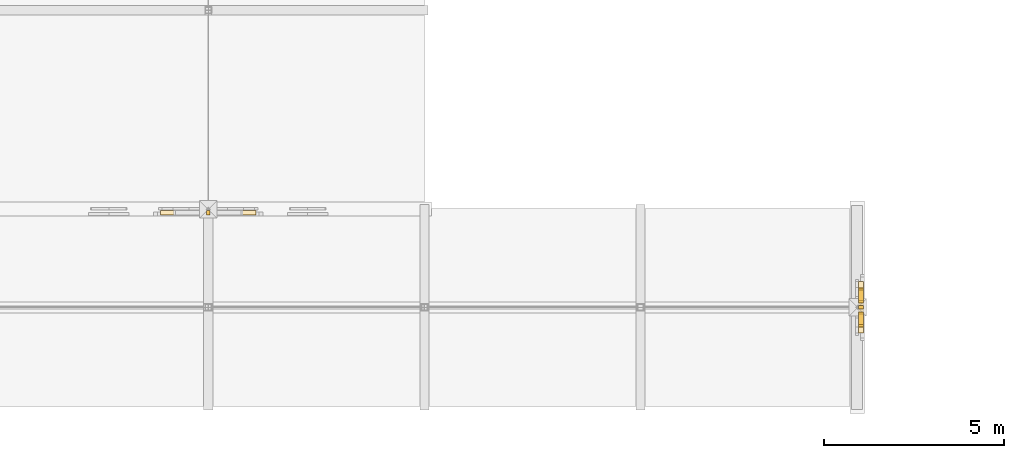
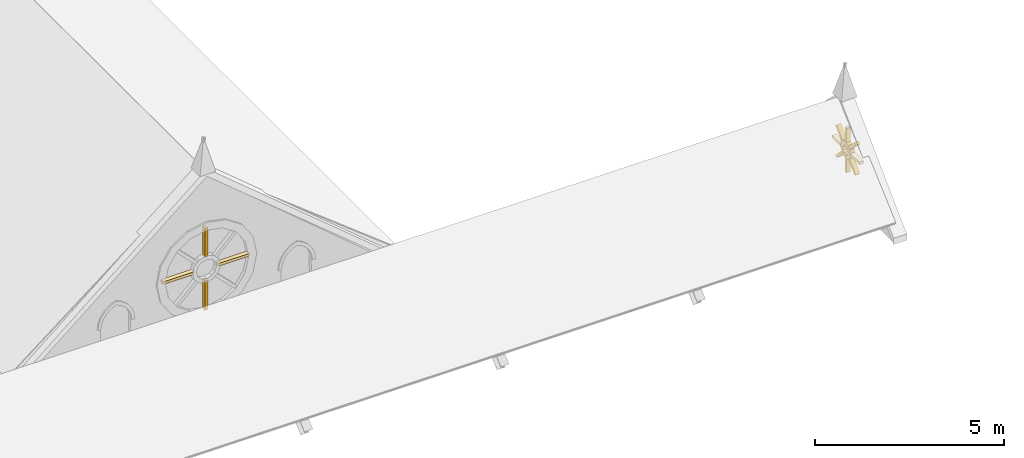
# One storey, part 107 of 108: 13 coverings.
"""IFC4 building model written with IfcOpenShell, lengths in metres."""

from ifc_helpers import new_model, si_unit, direction, frame, origin, place, context, subcontext, project, spatial, polyline, outline, extrude, material, type_object, element, save


model = new_model("IFC4")

# Units and contexts
model_context = context("Model", 3, precision=1e-05, world=origin(), true_north=direction((0.0, 1.0)))
body_context = subcontext(model_context, "Body", "Model", "MODEL_VIEW")
ifc_project = project(units=[si_unit("LENGTHUNIT", "METRE"), si_unit("AREAUNIT", "SQUARE_METRE"), si_unit("VOLUMEUNIT", "CUBIC_METRE"), si_unit("PLANEANGLEUNIT", "RADIAN"), si_unit("MASSUNIT", "GRAM", prefix="KILO")], contexts=[model_context])

# Site, building, storey
site_placement = place(None, origin())
site = spatial("IfcSite", under=ifc_project, at=site_placement, CompositionType="ELEMENT")
building_placement = place(site_placement, origin())
building = spatial("IfcBuilding", under=site, at=building_placement, Name="Cumevento Cable Car Station", CompositionType="ELEMENT")
storey_placement = place(building_placement, frame((0.0, 0.0, 13.5)))
storey = spatial("IfcBuildingStorey", under=building, at=storey_placement, Name="L04", CompositionType="ELEMENT", Elevation=13.5)

# Coverings
ifc_material = material(Name="Gnaisse Facoidal Stone Ashlar 85 MPa", Category="masonry")
covering_type = type_object("IfcCoveringType", Name="Gnaisse Ashlar Cladding CV-CL01", PredefinedType="CLADDING", material=ifc_material)
placement_1 = place(storey_placement, frame((82.0, 9.5, 0.0), z_axis=(0.0, 0.0, 1.0), x_axis=(0.0, -1.0, 0.0)))
element("IfcCovering", 1, at=placement_1, inside=storey, type_object=covering_type, Name="Gothic Rose Central Stone Oculus Hub wing_B_V1b_E", PredefinedType="CLADDING", context=body_context, shape_type="SweptSolid", body=[
    extrude(outline(polyline([(3.021484375, 1.119384765625), (2.985107421875, 1.255126953125), (2.8857421875, 1.3544921875), (2.75, 1.390869140625), (2.6142578125, 1.3544921875), (2.514892578125, 1.255126953125), (2.478515625, 1.119384765625), (2.514892578125, 0.9833984375), (2.6142578125, 0.884033203125), (2.75, 0.84765625), (2.8857421875, 0.884033203125), (2.985107421875, 0.9833984375), (3.021484375, 1.119384765625)]), holes=[polyline([(2.901611328125, 1.119384765625), (2.88134765625, 1.195068359375), (2.82568359375, 1.25048828125), (2.75, 1.27099609375), (2.67431640625, 1.25048828125), (2.61865234375, 1.195068359375), (2.598388671875, 1.119384765625), (2.61865234375, 1.04345703125), (2.67431640625, 0.988037109375), (2.75, 0.9677734375), (2.82568359375, 0.988037109375), (2.88134765625, 1.04345703125), (2.901611328125, 1.119384765625)])]), frame((0.0, 0.18994140625, 0.0), z_axis=(0.0, -1.0, 0.0), x_axis=(1.0, 0.0, 0.0)), (0.0, 0.0, 1.0), 0.139892578125),
])
element("IfcCovering", 2, at=placement_1, inside=storey, type_object=covering_type, Name="Gothic Rose Stone Tracery Mullion wing_B_V1b_E #1", PredefinedType="CLADDING", context=body_context, shape_type="SweptSolid", body=[
    extrude(outline(polyline([(2.9716796875, 1.164306640625), (3.467041015625, 1.164306640625), (3.467041015625, 1.07421875), (2.9716796875, 1.07421875), (2.9716796875, 1.164306640625)])), frame((0.0, 0.18505859375, 0.0), z_axis=(0.0, -1.0, 0.0), x_axis=(1.0, 0.0, 0.0)), (0.0, 0.0, 1.0), 0.1298828125),
])
element("IfcCovering", 3, at=placement_1, inside=storey, type_object=covering_type, Name="Gothic Rose Stone Tracery Mullion wing_B_V1b_E #2", PredefinedType="CLADDING", context=body_context, shape_type="SweptSolid", body=[
    extrude(outline(polyline([(2.874755859375, 1.307861328125), (3.225341796875, 1.658203125), (3.288818359375, 1.594482421875), (2.9384765625, 1.244140625), (2.874755859375, 1.307861328125)])), frame((0.0, 0.18505859375, 0.0), z_axis=(0.0, -1.0, 0.0), x_axis=(1.0, 0.0, 0.0)), (0.0, 0.0, 1.0), 0.1298828125),
])
element("IfcCovering", 4, at=placement_1, inside=storey, type_object=covering_type, Name="Gothic Rose Stone Tracery Mullion wing_B_V1b_E #3", PredefinedType="CLADDING", context=body_context, shape_type="SweptSolid", body=[
    extrude(outline(polyline([(2.705078125, 1.3408203125), (2.705078125, 1.83642578125), (2.794921875, 1.83642578125), (2.794921875, 1.3408203125), (2.705078125, 1.3408203125)])), frame((0.0, 0.18505859375, 0.0), z_axis=(0.0, -1.0, 0.0), x_axis=(1.0, 0.0, 0.0)), (0.0, 0.0, 1.0), 0.1298828125),
])
element("IfcCovering", 5, at=placement_1, inside=storey, type_object=covering_type, Name="Gothic Rose Stone Tracery Mullion wing_B_V1b_E #4", PredefinedType="CLADDING", context=body_context, shape_type="SweptSolid", body=[
    extrude(outline(polyline([(2.5615234375, 1.244140625), (2.211181640625, 1.594482421875), (2.274658203125, 1.658203125), (2.625244140625, 1.307861328125), (2.5615234375, 1.244140625)])), frame((0.0, 0.18505859375, 0.0), z_axis=(0.0, -1.0, 0.0), x_axis=(1.0, 0.0, 0.0)), (0.0, 0.0, 1.0), 0.1298828125),
])
element("IfcCovering", 6, at=placement_1, inside=storey, type_object=covering_type, Name="Gothic Rose Stone Tracery Mullion wing_B_V1b_E #5", PredefinedType="CLADDING", context=body_context, shape_type="SweptSolid", body=[
    extrude(outline(polyline([(2.5283203125, 1.07421875), (2.032958984375, 1.07421875), (2.032958984375, 1.164306640625), (2.5283203125, 1.164306640625), (2.5283203125, 1.07421875)])), frame((0.0, 0.18505859375, 0.0), z_axis=(0.0, -1.0, 0.0), x_axis=(1.0, 0.0, 0.0)), (0.0, 0.0, 1.0), 0.1298828125),
])
element("IfcCovering", 7, at=placement_1, inside=storey, type_object=covering_type, Name="Gothic Rose Stone Tracery Mullion wing_B_V1b_E #6", PredefinedType="CLADDING", context=body_context, shape_type="SweptSolid", body=[
    extrude(outline(polyline([(2.625244140625, 0.9306640625), (2.274658203125, 0.580322265625), (2.211181640625, 0.64404296875), (2.5615234375, 0.994384765625), (2.625244140625, 0.9306640625)])), frame((0.0, 0.18505859375, 0.0), z_axis=(0.0, -1.0, 0.0), x_axis=(1.0, 0.0, 0.0)), (0.0, 0.0, 1.0), 0.1298828125),
])
element("IfcCovering", 8, at=placement_1, inside=storey, type_object=covering_type, Name="Gothic Rose Stone Tracery Mullion wing_B_V1b_E #7", PredefinedType="CLADDING", context=body_context, shape_type="SweptSolid", body=[
    extrude(outline(polyline([(2.794921875, 0.897705078125), (2.794921875, 0.402099609375), (2.705078125, 0.402099609375), (2.705078125, 0.897705078125), (2.794921875, 0.897705078125)])), frame((0.0, 0.18505859375, 0.0), z_axis=(0.0, -1.0, 0.0), x_axis=(1.0, 0.0, 0.0)), (0.0, 0.0, 1.0), 0.1298828125),
])
element("IfcCovering", 9, at=placement_1, inside=storey, type_object=covering_type, Name="Gothic Rose Stone Tracery Mullion wing_B_V1b_E #8", PredefinedType="CLADDING", context=body_context, shape_type="SweptSolid", body=[
    extrude(outline(polyline([(2.9384765625, 0.994384765625), (3.288818359375, 0.64404296875), (3.225341796875, 0.580322265625), (2.874755859375, 0.9306640625), (2.9384765625, 0.994384765625)])), frame((0.0, 0.18505859375, 0.0), z_axis=(0.0, -1.0, 0.0), x_axis=(1.0, 0.0, 0.0)), (0.0, 0.0, 1.0), 0.1298828125),
])
placement_2 = place(storey_placement, frame((70.0, 9.5, 0.0), z_axis=(0.0, 0.0, 1.0), x_axis=(-1.0, 0.0, 0.0)))
element("IfcCovering", 10, at=placement_2, inside=storey, type_object=covering_type, Name="Gothic Rose Stone Tracery Mullion wing_B_V2b_S #1", PredefinedType="CLADDING", context=body_context, shape_type="SweptSolid", body=[
    extrude(outline(polyline([(6.379638671875, 2.0869140625), (7.32470703125, 2.0869140625), (7.32470703125, 1.996826171875), (6.379638671875, 1.996826171875), (6.379638671875, 2.0869140625)])), frame((0.0, 0.18505859375, 0.0), z_axis=(0.0, -1.0, 0.0), x_axis=(1.0, 0.0, 0.0)), (0.0, 0.0, 1.0), 0.1298828125),
])
element("IfcCovering", 11, at=placement_2, inside=storey, type_object=covering_type, Name="Gothic Rose Stone Tracery Mullion wing_B_V2b_S #3", PredefinedType="CLADDING", context=body_context, shape_type="SweptSolid", body=[
    extrude(outline(polyline([(5.955078125, 2.42138671875), (5.955078125, 3.366455078125), (6.044921875, 3.366455078125), (6.044921875, 2.42138671875), (5.955078125, 2.42138671875)])), frame((0.0, 0.18505859375, 0.0), z_axis=(0.0, -1.0, 0.0), x_axis=(1.0, 0.0, 0.0)), (0.0, 0.0, 1.0), 0.1298828125),
])
element("IfcCovering", 12, at=placement_2, inside=storey, type_object=covering_type, Name="Gothic Rose Stone Tracery Mullion wing_B_V2b_S #5", PredefinedType="CLADDING", context=body_context, shape_type="SweptSolid", body=[
    extrude(outline(polyline([(5.620361328125, 1.996826171875), (4.67529296875, 1.996826171875), (4.67529296875, 2.0869140625), (5.620361328125, 2.0869140625), (5.620361328125, 1.996826171875)])), frame((0.0, 0.18505859375, 0.0), z_axis=(0.0, -1.0, 0.0), x_axis=(1.0, 0.0, 0.0)), (0.0, 0.0, 1.0), 0.1298828125),
])
element("IfcCovering", 13, at=placement_2, inside=storey, type_object=covering_type, Name="Gothic Rose Stone Tracery Mullion wing_B_V2b_S #7", PredefinedType="CLADDING", context=body_context, shape_type="SweptSolid", body=[
    extrude(outline(polyline([(6.044921875, 1.662109375), (6.044921875, 0.71728515625), (5.955078125, 0.71728515625), (5.955078125, 1.662109375), (6.044921875, 1.662109375)])), frame((0.0, 0.18505859375, 0.0), z_axis=(0.0, -1.0, 0.0), x_axis=(1.0, 0.0, 0.0)), (0.0, 0.0, 1.0), 0.1298828125),
])

save(model, "model.ifc")
